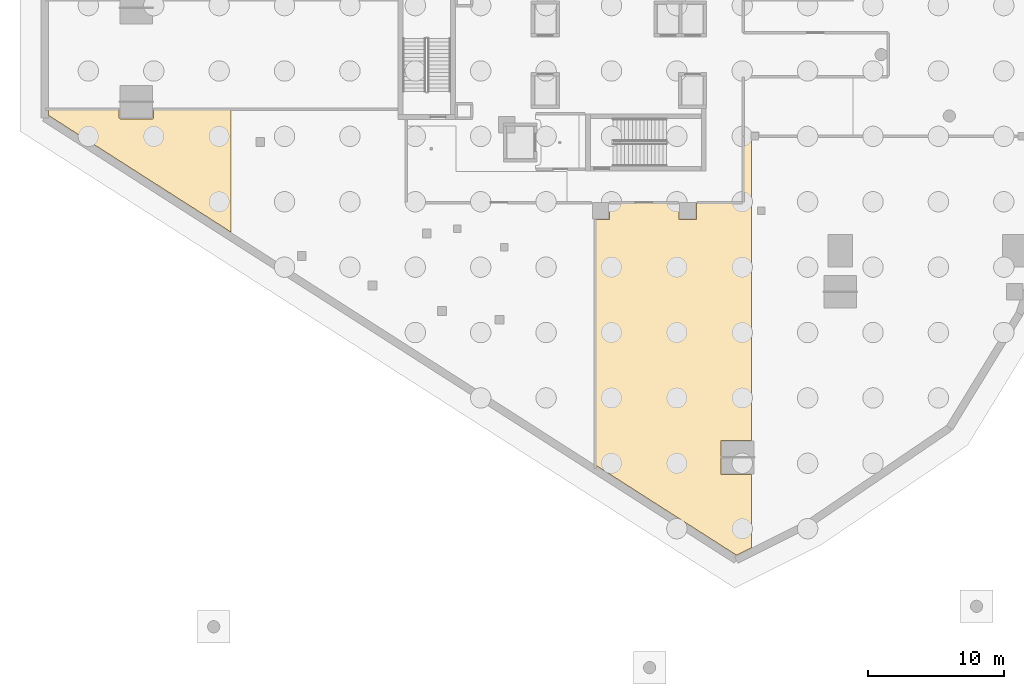
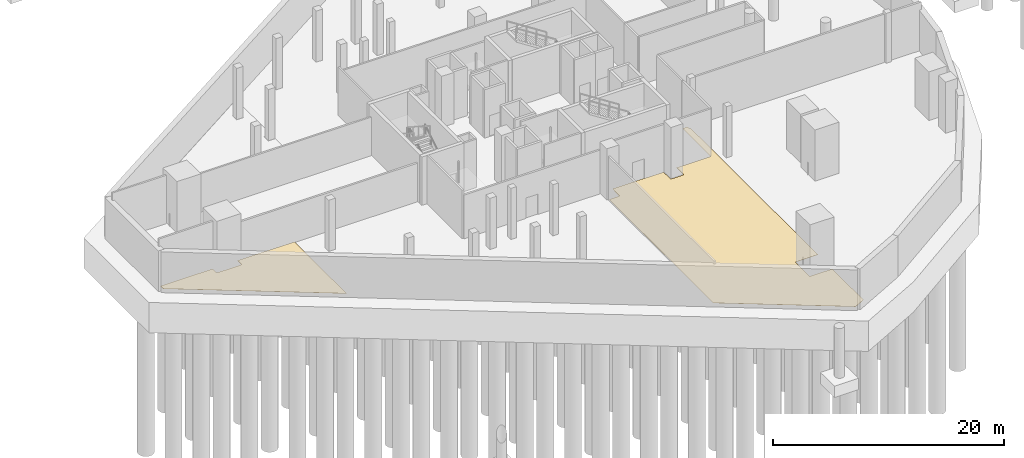
# One storey, part 15 of 22: 2 coverings.
"""IFC4 building model written with IfcOpenShell, lengths in metres."""

from ifc_helpers import new_model, si_unit, direction, frame, origin, place, context, subcontext, project, spatial, polyline, outline, extrude, material, layer, layer_set, type_object, element, save


model = new_model("IFC4")

# Units and contexts
model_context = context("Model", 3, precision=1e-05, world=origin(), true_north=direction((0.0, 1.0)))
body_context = subcontext(model_context, "Body", "Model", "MODEL_VIEW")
ifc_project = project(units=[si_unit("LENGTHUNIT", "METRE"), si_unit("AREAUNIT", "SQUARE_METRE"), si_unit("VOLUMEUNIT", "CUBIC_METRE"), si_unit("PLANEANGLEUNIT", "RADIAN"), si_unit("MASSUNIT", "GRAM", prefix="KILO")], contexts=[model_context])

# Site, building, storey
site_placement = place(None, origin())
site = spatial("IfcSite", under=ifc_project, at=site_placement, CompositionType="ELEMENT")
building_placement = place(site_placement, origin())
building = spatial("IfcBuilding", under=site, at=building_placement, Name="Qorvath Tower", CompositionType="ELEMENT")
storey_placement = place(building_placement, frame((0.0, 0.0, -5.39990234375)))
storey = spatial("IfcBuildingStorey", under=building, at=storey_placement, Name="B01", CompositionType="ELEMENT", Elevation=-5.39990234375)

# Coverings
ifc_material = material(Name="Polished epoxy terrazzo flooring", Category="concrete")
ifc_layer = layer(ifc_material, 0.02001953125)
ifc_layer_set = layer_set([ifc_layer], Name="COV-FLOOR-TRZ")
covering_type = type_object("IfcCoveringType", Name="COV-FLOOR-TRZ", PredefinedType="FLOORING", material=ifc_layer_set)
covering_1_placement = place(storey_placement, origin())
element("IfcCovering", 1, at=covering_1_placement, inside=storey, type_object=covering_type, Name="B01 Floor Finish 005", PredefinedType="FLOORING", context=body_context, shape_type="SweptSolid", body=[
    extrude(outline(polyline([(-58.93994140625, -4.656005859375), (-58.93994140625, -4.0048828125), (-64.1142578125, -4.0048828125), (-64.1142578125, -4.4697265625), (-50.744384765625, -13.0146484375), (-50.744384765625, -4.0048828125), (-56.419921875, -4.0048828125), (-56.419921875, -4.656005859375), (-56.47998046875, -4.716064453125), (-58.8798828125, -4.716064453125), (-58.93994140625, -4.656005859375)])), origin(), (0.0, 0.0, 1.0), 0.014892578125),
])
covering_2_placement = place(storey_placement, origin())
element("IfcCovering", 2, at=covering_2_placement, inside=storey, type_object=covering_type, Name="B01 Floor Finish 006", PredefinedType="FLOORING", context=body_context, shape_type="SweptSolid", body=[
    extrude(outline(polyline([(-12.5185546875, -36.195068359375), (-12.5185546875, -30.810546875), (-14.762451171875, -30.810546875), (-14.762451171875, -28.32568359375), (-12.5185546875, -28.32568359375), (-12.5185546875, -6.333251953125), (-12.574951171875, -6.3349609375), (-12.635009765625, -6.27490234375), (-12.635009765625, -6.0048828125), (-13.136962890625, -6.0048828125), (-13.138427734375, -10.861572265625), (-16.5400390625, -10.863037109375), (-16.5400390625, -12.050048828125), (-16.60009765625, -12.110107421875), (-17.842529296875, -12.092529296875), (-17.860107421875, -10.863037109375), (-22.93994140625, -10.863037109375), (-22.95751953125, -12.092529296875), (-23.987060546875, -12.110107421875), (-23.987060546875, -30.1162109375), (-13.61669921875, -36.744140625), (-12.5185546875, -36.195068359375)])), origin(), (0.0, 0.0, 1.0), 0.014892578125),
])

save(model, "model.ifc")
